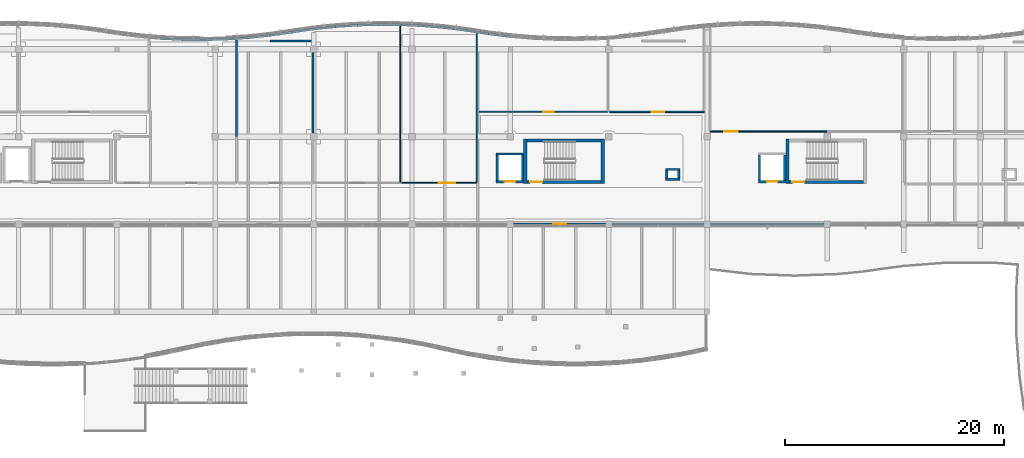
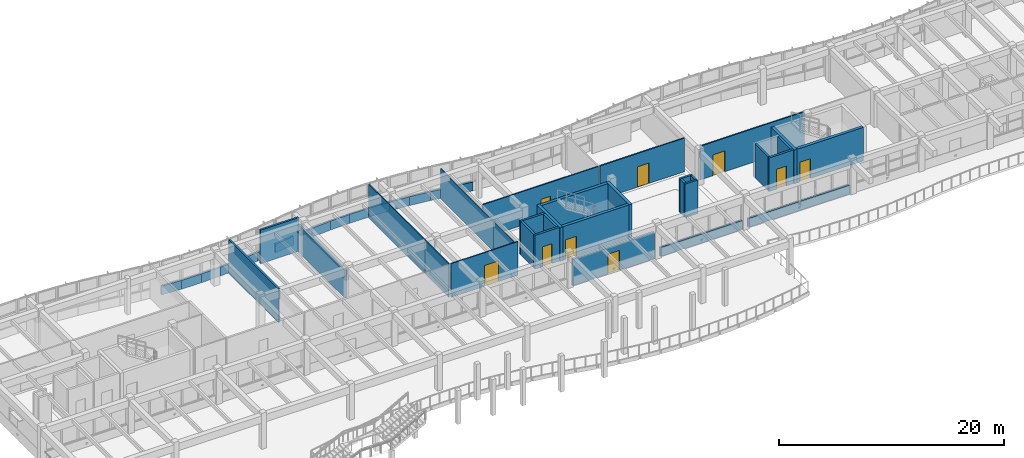
# One storey, part 61 of 89: 47 walls, 9 doors, 9 openings.
"""IFC4 building model written with IfcOpenShell, lengths in metres."""

from ifc_helpers import new_model, si_unit, direction, frame, frame_2d, origin, place, context, subcontext, project, spatial, rectangle, extrude, material, layer, layer_set, type_object, element, fill, save


model = new_model("IFC4")

# Units and contexts
model_context = context("Model", 3, precision=1e-05, world=origin(), true_north=direction((0.0, 1.0)))
body_context = subcontext(model_context, "Body", "Model", "MODEL_VIEW")
ifc_project = project(units=[si_unit("LENGTHUNIT", "METRE"), si_unit("AREAUNIT", "SQUARE_METRE"), si_unit("VOLUMEUNIT", "CUBIC_METRE"), si_unit("PLANEANGLEUNIT", "RADIAN"), si_unit("MASSUNIT", "GRAM", prefix="KILO")], contexts=[model_context])

# Site, building, storey
site_placement = place(None, origin())
site = spatial("IfcSite", under=ifc_project, at=site_placement, CompositionType="ELEMENT")
building_placement = place(site_placement, origin())
building = spatial("IfcBuilding", under=site, at=building_placement, Name="Tonlespit Floodbar School", CompositionType="ELEMENT")
storey_placement = place(building_placement, frame((0.0, 0.0, 4.5)))
storey = spatial("IfcBuildingStorey", under=building, at=storey_placement, Name="L01", CompositionType="ELEMENT", Elevation=4.5)

# Walls
ifc_material_1 = material(Name="Concrete C40/50", Category="concrete")
ifc_layer_1 = layer(ifc_material_1, 0.300048828125)
ifc_layer_set_1 = layer_set([ifc_layer_1], Name="Concrete C40/50")
wall_type_1 = type_object("IfcWallType", Name="CoreWall_RC_300", PredefinedType="SHEAR", material=ifc_layer_set_1)
for number, where, z_axis, x_axis, name in (
    (1, (99.35009765625, 107.699951171875, 0.0), (0.0, 0.0, 1.0), (0.0, 1.0, 0.0), "L01 core C2 shear wall NEAR"),
    (2, (106.449951171875, 111.800048828125, 0.0), (0.0, 0.0, 1.0), (0.0, -1.0, 0.0), "L01 core C2 shear wall FAR"),
):
    element("IfcWall", number, at=place(storey_placement, frame(where, z_axis=z_axis, x_axis=x_axis)), inside=storey, type_object=wall_type_1, Name=name, PredefinedType="SHEAR", context=body_context, shape_type="SweptSolid", body=[
        extrude(rectangle(XDim=4.10009765625, YDim=0.300048828125, at=frame_2d((2.050048828125, 0.0))), origin(), (0.0, 0.0, 1.0), 3.64990234375),
    ])

# Wall, opening, door
wall_1_placement = place(storey_placement, frame((99.5, 107.85009765625, 0.0), z_axis=(0.0, 0.0, 1.0), x_axis=(1.0, 0.0, 0.0)))
wall_1 = element("IfcWall", 3, at=wall_1_placement, inside=storey, type_object=wall_type_1, Name="L01 core C2 shear wall LEFT", PredefinedType="SHEAR", context=body_context, shape_type="SweptSolid", body=[
    extrude(rectangle(XDim=6.800048828125, YDim=0.300048828125, at=frame_2d((3.39990234375, 0.0))), origin(), (0.0, 0.0, 1.0), 3.64990234375),
])
opening_1_placement = place(wall_1_placement, frame((0.300048828125, 0.0, 0.0)))
opening_1 = element("IfcOpeningElement", 4, at=opening_1_placement, cuts=wall_1, Name="Opening FD1-C2-L01", PredefinedType="OPENING", context=body_context, shape_type="SweptSolid", body=[
    extrude(rectangle(XDim=1.10009765625, YDim=2.14990234375, at=frame_2d((0.550048828125, 1.074951171875))), frame((0.0, 0.159912109375, 0.0), z_axis=(0.0, -1.0, 0.0), x_axis=(1.0, 0.0, 0.0)), (0.0, 0.0, 1.0), 0.320068359375),
])
ifc_material_2 = material(Name="Galvanised Steel", Category="steel")
door_type_1 = type_object("IfcDoorType", Name="FireDoor_Stair_1100x2150", OperationType="NOTDEFINED", PredefinedType="DOOR", material=ifc_material_2)
door_1_placement = place(opening_1_placement, origin())
door_1 = element("IfcDoor", 5, at=door_1_placement, inside=storey, type_object=door_type_1, Name="L01 stair ST-C2 fire door", OperationType="SINGLE_SWING_RIGHT", OverallHeight=2.14990234375, OverallWidth=1.10009765625, PredefinedType="DOOR", context=body_context, shape_type="SweptSolid", body=[
    extrude(rectangle(XDim=1.10009765625, YDim=2.14990234375, at=frame_2d((0.550048828125, 1.074951171875))), frame((0.0, 0.02490234375, 0.0), z_axis=(0.0, -1.0, 0.0), x_axis=(1.0, 0.0, 0.0)), (0.0, 0.0, 1.0), 0.050048828125),
])
fill(opening_1, door_1)

# Walls
wall_2_placement = place(storey_placement, frame((106.300048828125, 111.64990234375, 0.0), z_axis=(0.0, 0.0, 1.0), x_axis=(-1.0, 0.0, 0.0)))
element("IfcWall", 6, at=wall_2_placement, inside=storey, type_object=wall_type_1, Name="L01 core C2 shear wall RGHT", PredefinedType="SHEAR", context=body_context, shape_type="SweptSolid", body=[
    extrude(rectangle(XDim=6.800048828125, YDim=0.300048828125, at=frame_2d((3.39990234375, 0.0))), origin(), (0.0, 0.0, 1.0), 3.64990234375),
])
wall_3_placement = place(storey_placement, frame((123.35009765625, 107.699951171875, 0.0), z_axis=(0.0, 0.0, 1.0), x_axis=(0.0, 1.0, 0.0)))
element("IfcWall", 7, at=wall_3_placement, inside=storey, type_object=wall_type_1, Name="L01 core C4 shear wall NEAR", PredefinedType="SHEAR", context=body_context, shape_type="SweptSolid", body=[
    extrude(rectangle(XDim=4.10009765625, YDim=0.300048828125, at=frame_2d((2.050048828125, 0.0))), origin(), (0.0, 0.0, 1.0), 3.64990234375),
])

# Wall, opening, door
wall_4_placement = place(storey_placement, frame((123.5, 107.85009765625, 0.0), z_axis=(0.0, 0.0, 1.0), x_axis=(1.0, 0.0, 0.0)))
wall_4 = element("IfcWall", 8, at=wall_4_placement, inside=storey, type_object=wall_type_1, Name="L01 core C4 shear wall LEFT", PredefinedType="SHEAR", context=body_context, shape_type="SweptSolid", body=[
    extrude(rectangle(XDim=6.800048828125, YDim=0.300048828125, at=frame_2d((3.39990234375, 0.0))), origin(), (0.0, 0.0, 1.0), 3.64990234375),
])
opening_2_placement = place(wall_4_placement, frame((0.300048828125, 0.0, 0.0)))
opening_2 = element("IfcOpeningElement", 9, at=opening_2_placement, cuts=wall_4, Name="Opening FD1-C4-L01", PredefinedType="OPENING", context=body_context, shape_type="SweptSolid", body=[
    extrude(rectangle(XDim=1.10009765625, YDim=2.14990234375, at=frame_2d((0.550048828125, 1.074951171875))), frame((0.0, 0.159912109375, 0.0), z_axis=(0.0, -1.0, 0.0), x_axis=(1.0, 0.0, 0.0)), (0.0, 0.0, 1.0), 0.320068359375),
])
door_2_placement = place(opening_2_placement, origin())
door_2 = element("IfcDoor", 10, at=door_2_placement, inside=storey, type_object=door_type_1, Name="L01 stair ST-C4 fire door", OperationType="SINGLE_SWING_RIGHT", OverallHeight=2.14990234375, OverallWidth=1.10009765625, PredefinedType="DOOR", context=body_context, shape_type="SweptSolid", body=[
    extrude(rectangle(XDim=1.10009765625, YDim=2.14990234375, at=frame_2d((0.550048828125, 1.074951171875))), frame((0.0, 0.02490234375, 0.0), z_axis=(0.0, -1.0, 0.0), x_axis=(1.0, 0.0, 0.0)), (0.0, 0.0, 1.0), 0.050048828125),
])
fill(opening_2, door_2)

ifc_material_3 = material(Name="Precast concrete C40/50", Category="concrete")
ifc_layer_2 = layer(ifc_material_3, 0.239990234375)
ifc_layer_set_2 = layer_set([ifc_layer_2], Name="Precast concrete C40/50")
wall_type_2 = type_object("IfcWallType", Name="ExtWall_Rainscreen_240", PredefinedType="SOLIDWALL", material=ifc_layer_set_2)
wall_5_placement = place(storey_placement, frame((106.699951171875, 104.0, 0.0), z_axis=(0.0, 0.0, 1.0), x_axis=(-1.0, 0.0, 0.0)))
wall_5 = element("IfcWall", 11, at=wall_5_placement, inside=storey, type_object=wall_type_2, Name="L01 external wall 0085", PredefinedType="SOLIDWALL", context=body_context, shape_type="SweptSolid", body=[
    extrude(rectangle(XDim=8.39990234375, YDim=0.239990234375, at=frame_2d((4.199951171875, 0.0))), origin(), (0.0, 0.0, 1.0), 2.844970703125),
])
opening_3_placement = place(wall_5_placement, frame((3.60009765625, 0.0, 0.0)))
opening_3 = element("IfcOpeningElement", 12, at=opening_3_placement, cuts=wall_5, Name="Opening D-TR-004", PredefinedType="OPENING", context=body_context, shape_type="SweptSolid", body=[
    extrude(rectangle(XDim=1.199951171875, YDim=2.14990234375, at=frame_2d((0.60009765625, 1.074951171875))), frame((0.0, 0.1298828125, 0.0), z_axis=(0.0, -1.0, 0.0), x_axis=(1.0, 0.0, 0.0)), (0.0, 0.0, 1.0), 0.260009765625),
])
ifc_material_4 = material(Name="Anodised Aluminium", Category="aluminium")
door_type_2 = type_object("IfcDoorType", Name="ExtDoor_Terrace_1200x2150", OperationType="NOTDEFINED", PredefinedType="DOOR", material=ifc_material_4)
door_3_placement = place(opening_3_placement, origin())
door_3 = element("IfcDoor", 13, at=door_3_placement, inside=storey, type_object=door_type_2, Name="L01 exterior door D-TR-004", OperationType="SINGLE_SWING_RIGHT", OverallHeight=2.14990234375, OverallWidth=1.199951171875, PredefinedType="DOOR", context=body_context, shape_type="SweptSolid", body=[
    extrude(rectangle(XDim=1.199951171875, YDim=2.14990234375, at=frame_2d((0.60009765625, 1.074951171875))), frame((0.0, 0.02490234375, 0.0), z_axis=(0.0, -1.0, 0.0), x_axis=(1.0, 0.0, 0.0)), (0.0, 0.0, 1.0), 0.050048828125),
])
fill(opening_3, door_3)

# Walls
ifc_material_5 = material(Name="White Architectural Precast concrete C40/50", Category="concrete")
ifc_layer_3 = layer(ifc_material_5, 0.199951171875)
ifc_layer_set_3 = layer_set([ifc_layer_3], Name="White Architectural Precast concrete C40/50")
wall_type_3 = type_object("IfcWallType", Name="ExtWall_Spandrel_White_200", PredefinedType="SOLIDWALL", material=ifc_layer_set_3)
wall_6_placement = place(storey_placement, frame((66.0, 120.968505859375, 0.0), z_axis=(0.0, 0.0, 1.0), x_axis=(0.99884540439, -0.048040172037, 0.0)))
element("IfcWall", 14, at=wall_6_placement, inside=storey, type_object=wall_type_3, Name="L01 spandrel wall 0059", PredefinedType="SOLIDWALL", context=body_context, shape_type="SweptSolid", body=[
    extrude(rectangle(XDim=2.002197265625, YDim=0.199951171875, at=frame_2d((1.0009765625, 0.0))), origin(), (0.0, 0.0, 1.0), 0.949951171875),
])
wall_7_placement = place(storey_placement, frame((68.0, 120.872314453125, 0.0), z_axis=(0.0, 0.0, 1.0), x_axis=(0.999953504169, -0.009643106302, 0.0)))
element("IfcWall", 15, at=wall_7_placement, inside=storey, type_object=wall_type_3, Name="L01 spandrel wall 0060", PredefinedType="SOLIDWALL", context=body_context, shape_type="SweptSolid", body=[
    extrude(rectangle(XDim=2.0, YDim=0.199951171875, at=frame_2d((1.0, 0.0))), origin(), (0.0, 0.0, 1.0), 0.949951171875),
])
wall_8_placement = place(storey_placement, frame((70.0, 120.85302734375, 0.0), z_axis=(0.0, 0.0, 1.0), x_axis=(0.999585290582, 0.028796646555, 0.0)))
element("IfcWall", 16, at=wall_8_placement, inside=storey, type_object=wall_type_3, Name="L01 spandrel wall 0061", PredefinedType="SOLIDWALL", context=body_context, shape_type="SweptSolid", body=[
    extrude(rectangle(XDim=2.000732421875, YDim=0.199951171875, at=frame_2d((1.00048828125, 0.0))), origin(), (0.0, 0.0, 1.0), 0.949951171875),
])
wall_9_placement = place(storey_placement, frame((72.0, 120.91064453125, 0.0), z_axis=(0.0, 0.0, 1.0), x_axis=(0.997729302978, 0.067351599676, 0.0)))
element("IfcWall", 17, at=wall_9_placement, inside=storey, type_object=wall_type_3, Name="L01 spandrel wall 0062", PredefinedType="SOLIDWALL", context=body_context, shape_type="SweptSolid", body=[
    extrude(rectangle(XDim=2.004638671875, YDim=0.199951171875, at=frame_2d((1.00244140625, 0.0))), origin(), (0.0, 0.0, 1.0), 0.949951171875),
])
wall_10_placement = place(storey_placement, frame((74.0, 121.045654296875, 0.0), z_axis=(0.0, 0.0, 1.0), x_axis=(0.994395160059, 0.105727317433, 0.0)))
element("IfcWall", 18, at=wall_10_placement, inside=storey, type_object=wall_type_3, Name="L01 spandrel wall 0063", PredefinedType="SOLIDWALL", context=body_context, shape_type="SweptSolid", body=[
    extrude(rectangle(XDim=2.01123046875, YDim=0.199951171875, at=frame_2d((1.005615234375, 0.0))), origin(), (0.0, 0.0, 1.0), 0.949951171875),
])
for number, where, z_axis, x_axis, name in (
    (19, (76.0, 121.25830078125, 0.0), (0.0, 0.0, 1.0), (0.989527230727, 0.144346318447, 0.0), "L01 spandrel wall 0064"),
    (20, (78.0, 121.550048828125, 0.0), (0.0, 0.0, 1.0), (0.989544477223, 0.144228040259, 0.0), "L01 spandrel wall 0065"),
):
    element("IfcWall", number, at=place(storey_placement, frame(where, z_axis=z_axis, x_axis=x_axis)), inside=storey, type_object=wall_type_3, Name=name, PredefinedType="SOLIDWALL", context=body_context, shape_type="SweptSolid", body=[
        extrude(rectangle(XDim=2.021240234375, YDim=0.199951171875, at=frame_2d((1.0107421875, 0.0))), origin(), (0.0, 0.0, 1.0), 0.949951171875),
    ])
wall_11_placement = place(storey_placement, frame((80.0, 121.841552734375, 0.0), z_axis=(0.0, 0.0, 1.0), x_axis=(0.994395160059, 0.105727317433, 0.0)))
element("IfcWall", 21, at=wall_11_placement, inside=storey, type_object=wall_type_3, Name="L01 spandrel wall 0066", PredefinedType="SOLIDWALL", context=body_context, shape_type="SweptSolid", body=[
    extrude(rectangle(XDim=2.01123046875, YDim=0.199951171875, at=frame_2d((1.005615234375, 0.0))), origin(), (0.0, 0.0, 1.0), 0.949951171875),
])
wall_12_placement = place(storey_placement, frame((82.0, 122.05419921875, 0.0), z_axis=(0.0, 0.0, 1.0), x_axis=(0.997729302978, 0.067351599676, 0.0)))
element("IfcWall", 22, at=wall_12_placement, inside=storey, type_object=wall_type_3, Name="L01 spandrel wall 0067", PredefinedType="SOLIDWALL", context=body_context, shape_type="SweptSolid", body=[
    extrude(rectangle(XDim=2.004638671875, YDim=0.199951171875, at=frame_2d((1.00244140625, 0.0))), origin(), (0.0, 0.0, 1.0), 0.949951171875),
])
wall_13_placement = place(storey_placement, frame((84.0, 122.189208984375, 0.0), z_axis=(0.0, 0.0, 1.0), x_axis=(0.999581770858, 0.028918564416, 0.0)))
element("IfcWall", 23, at=wall_13_placement, inside=storey, type_object=wall_type_3, Name="L01 spandrel wall 0068", PredefinedType="SOLIDWALL", context=body_context, shape_type="SweptSolid", body=[
    extrude(rectangle(XDim=2.000732421875, YDim=0.199951171875, at=frame_2d((1.00048828125, 0.0))), origin(), (0.0, 0.0, 1.0), 0.949951171875),
])
wall_14_placement = place(storey_placement, frame((86.0, 122.2470703125, 0.0), z_axis=(0.0, 0.0, 1.0), x_axis=(0.999953504169, -0.009643106302, 0.0)))
element("IfcWall", 24, at=wall_14_placement, inside=storey, type_object=wall_type_3, Name="L01 spandrel wall 0069", PredefinedType="SOLIDWALL", context=body_context, shape_type="SweptSolid", body=[
    extrude(rectangle(XDim=2.0, YDim=0.199951171875, at=frame_2d((1.0, 0.0))), origin(), (0.0, 0.0, 1.0), 0.949951171875),
])
wall_15_placement = place(storey_placement, frame((88.0, 122.227783203125, 0.0), z_axis=(0.0, 0.0, 1.0), x_axis=(0.99884540439, -0.048040172037, 0.0)))
element("IfcWall", 25, at=wall_15_placement, inside=storey, type_object=wall_type_3, Name="L01 spandrel wall 0070", PredefinedType="SOLIDWALL", context=body_context, shape_type="SweptSolid", body=[
    extrude(rectangle(XDim=2.002197265625, YDim=0.199951171875, at=frame_2d((1.0009765625, 0.0))), origin(), (0.0, 0.0, 1.0), 0.949951171875),
])
wall_16_placement = place(storey_placement, frame((90.0, 122.131591796875, 0.0), z_axis=(0.0, 0.0, 1.0), x_axis=(0.996244237948, -0.086587633962, 0.0)))
element("IfcWall", 26, at=wall_16_placement, inside=storey, type_object=wall_type_3, Name="L01 spandrel wall 0071", PredefinedType="SOLIDWALL", context=body_context, shape_type="SweptSolid", body=[
    extrude(rectangle(XDim=2.007568359375, YDim=0.199951171875, at=frame_2d((1.00390625, 0.0))), origin(), (0.0, 0.0, 1.0), 0.949951171875),
])
wall_17_placement = place(storey_placement, frame((92.0, 121.957763671875, 0.0), z_axis=(0.0, 0.0, 1.0), x_axis=(0.992158168336, -0.124988675503, 0.0)))
element("IfcWall", 27, at=wall_17_placement, inside=storey, type_object=wall_type_3, Name="L01 spandrel wall 0072", PredefinedType="SOLIDWALL", context=body_context, shape_type="SweptSolid", body=[
    extrude(rectangle(XDim=2.015869140625, YDim=0.199951171875, at=frame_2d((1.0078125, 0.0))), origin(), (0.0, 0.0, 1.0), 0.949951171875),
])
wall_18_placement = place(storey_placement, frame((94.0, 121.705810546875, 0.0), z_axis=(0.0, 0.0, 1.0), x_axis=(0.988085509852, -0.153905897287, 0.0)))
element("IfcWall", 28, at=wall_18_placement, inside=storey, type_object=wall_type_3, Name="L01 spandrel wall 0073", PredefinedType="SOLIDWALL", context=body_context, shape_type="SweptSolid", body=[
    extrude(rectangle(XDim=2.024169921875, YDim=0.199951171875, at=frame_2d((1.01220703125, 0.0))), origin(), (0.0, 0.0, 1.0), 0.949951171875),
])
wall_19_placement = place(storey_placement, frame((96.0, 121.394287109375, 0.0), z_axis=(0.0, 0.0, 1.0), x_axis=(0.992158168336, -0.124988675503, 0.0)))
element("IfcWall", 29, at=wall_19_placement, inside=storey, type_object=wall_type_3, Name="L01 spandrel wall 0074", PredefinedType="SOLIDWALL", context=body_context, shape_type="SweptSolid", body=[
    extrude(rectangle(XDim=2.015869140625, YDim=0.199951171875, at=frame_2d((1.0078125, 0.0))), origin(), (0.0, 0.0, 1.0), 0.949951171875),
])
wall_20_placement = place(storey_placement, frame((115.699951171875, 104.0, 0.0), z_axis=(0.0, 0.0, 1.0), x_axis=(-1.0, 0.0, 0.0)))
element("IfcWall", 30, at=wall_20_placement, inside=storey, type_object=wall_type_3, Name="L01 spandrel wall 0084", PredefinedType="SOLIDWALL", context=body_context, shape_type="SweptSolid", body=[
    extrude(rectangle(XDim=8.39990234375, YDim=0.199951171875, at=frame_2d((4.199951171875, 0.0))), origin(), (0.0, 0.0, 1.0), 0.949951171875),
])
wall_21_placement = place(storey_placement, frame((126.699951171875, 104.0, 0.0), z_axis=(0.0, 0.0, 1.0), x_axis=(-1.0, 0.0, 0.0)))
element("IfcWall", 31, at=wall_21_placement, inside=storey, type_object=wall_type_3, Name="L01 spandrel wall 0588", PredefinedType="SOLIDWALL", context=body_context, shape_type="SweptSolid", body=[
    extrude(rectangle(XDim=10.39990234375, YDim=0.199951171875, at=frame_2d((5.199951171875, 0.0))), origin(), (0.0, 0.0, 1.0), 0.949951171875),
])
ifc_layer_4 = layer(ifc_material_1, 0.199951171875)
ifc_layer_set_4 = layer_set([ifc_layer_4], Name="Concrete C40/50")
wall_type_4 = type_object("IfcWallType", Name="FireWall_Plant_200", PredefinedType="PARTITIONING", material=ifc_layer_set_4)
for number, where, z_axis, x_axis, name in (
    (32, (113.5, 108.10009765625, 0.0), (0.0, 0.0, 1.0), (-1.0, 0.0, 0.0), "L01 service riser 02 wall S"),
    (33, (112.199951171875, 109.0, 0.0), (0.0, 0.0, 1.0), (1.0, 0.0, 0.0), "L01 service riser 02 wall N"),
):
    element("IfcWall", number, at=place(storey_placement, frame(where, z_axis=z_axis, x_axis=x_axis)), inside=storey, type_object=wall_type_4, Name=name, PredefinedType="PARTITIONING", context=body_context, shape_type="SweptSolid", body=[
        extrude(rectangle(XDim=1.300048828125, YDim=0.199951171875, at=frame_2d((0.64990234375, 0.0))), origin(), (0.0, 0.0, 1.0), 3.64990234375),
    ])
for number, where, z_axis, x_axis, name in (
    (34, (112.300048828125, 108.199951171875, 0.0), (0.0, 0.0, 1.0), (0.0, 1.0, 0.0), "L01 service riser 02 wall W"),
    (35, (113.39990234375, 108.89990234375, 0.0), (0.0, 0.0, 1.0), (0.0, -1.0, 0.0), "L01 service riser 02 wall E"),
):
    element("IfcWall", number, at=place(storey_placement, frame(where, z_axis=z_axis, x_axis=x_axis)), inside=storey, type_object=wall_type_4, Name=name, PredefinedType="PARTITIONING", context=body_context, shape_type="SweptSolid", body=[
        extrude(rectangle(XDim=0.699951171875, YDim=0.199951171875, at=frame_2d((0.35009765625, 0.0))), origin(), (0.0, 0.0, 1.0), 3.64990234375),
    ])
ifc_material_6 = material(Name="Gypsum Plasterboard Partition")
ifc_layer_5 = layer(ifc_material_6, 0.10009765625)
ifc_layer_set_5 = layer_set([ifc_layer_5], Name="Gypsum Plasterboard Partition")
wall_type_5 = type_object("IfcWallType", Name="Partition_Gyp_100", PredefinedType="PARTITIONING", material=ifc_layer_set_5)
wall_22_placement = place(storey_placement, frame((87.929931640625, 107.8349609375, 0.0), z_axis=(0.0, 0.0, 1.0), x_axis=(0.0, 1.0, 0.0)))
element("IfcWall", 36, at=wall_22_placement, inside=storey, type_object=wall_type_5, Name="L01 partition wall 0047", PredefinedType="PARTITIONING", context=body_context, shape_type="SweptSolid", body=[
    extrude(rectangle(XDim=4.1650390625, YDim=0.10009765625, at=frame_2d((2.08251953125, 0.0))), origin(), (0.0, 0.0, 1.0), 3.64990234375),
])
wall_23_placement = place(storey_placement, frame((87.929931640625, 112.0, 0.0), z_axis=(0.0, 0.0, 1.0), x_axis=(0.0, 1.0, 0.0)))
element("IfcWall", 37, at=wall_23_placement, inside=storey, type_object=wall_type_5, Name="L01 partition wall 0048", PredefinedType="PARTITIONING", context=body_context, shape_type="SweptSolid", body=[
    extrude(rectangle(XDim=10.08642578125, YDim=0.10009765625, at=frame_2d((5.043212890625, 0.0))), origin(), (0.0, 0.0, 1.0), 3.64990234375),
])

# Wall, opening, door
ifc_layer_6 = layer(ifc_material_6, 0.110107421875)
ifc_layer_set_6 = layer_set([ifc_layer_6], Name="Gypsum Plasterboard Partition")
wall_type_6 = type_object("IfcWallType", Name="Partition_Gyp_110", PredefinedType="PARTITIONING", material=ifc_layer_set_6)
wall_24_placement = place(storey_placement, frame((88.070068359375, 107.77001953125, 0.0), z_axis=(0.0, 0.0, 1.0), x_axis=(1.0, 0.0, 0.0)))
wall_24 = element("IfcWall", 38, at=wall_24_placement, inside=storey, type_object=wall_type_6, Name="L01 partition wall 0049", PredefinedType="PARTITIONING", context=body_context, shape_type="SweptSolid", body=[
    extrude(rectangle(XDim=6.85986328125, YDim=0.110107421875, at=frame_2d((3.429931640625, 0.0))), origin(), (0.0, 0.0, 1.0), 3.64990234375),
])
opening_4_placement = place(wall_24_placement, frame((3.389892578125, 0.0, 0.0)))
opening_4 = element("IfcOpeningElement", 39, at=opening_4_placement, cuts=wall_24, Name="Opening D-L01-015", PredefinedType="OPENING", context=body_context, shape_type="SweptSolid", body=[
    extrude(rectangle(XDim=1.47998046875, YDim=2.25, at=frame_2d((0.739990234375, 1.125))), frame((0.0, 0.06494140625, 0.0), z_axis=(0.0, -1.0, 0.0), x_axis=(1.0, 0.0, 0.0)), (0.0, 0.0, 1.0), 0.130126953125),
])
ifc_material_7 = material(Name="Hardwood Timber", Category="wood")
door_type_3 = type_object("IfcDoorType", Name="IntDoor_1480x2250", OperationType="NOTDEFINED", PredefinedType="DOOR", material=ifc_material_7)
door_4_placement = place(opening_4_placement, origin())
door_4 = element("IfcDoor", 40, at=door_4_placement, inside=storey, type_object=door_type_3, Name="L01 interior door D-L01-015", OperationType="SINGLE_SWING_RIGHT", OverallHeight=2.25, OverallWidth=1.47998046875, PredefinedType="DOOR", context=body_context, shape_type="SweptSolid", body=[
    extrude(rectangle(XDim=1.47998046875, YDim=2.25, at=frame_2d((0.739990234375, 1.125))), frame((0.0, 0.02490234375, 0.0), z_axis=(0.0, -1.0, 0.0), x_axis=(1.0, 0.0, 0.0)), (0.0, 0.0, 1.0), 0.050048828125),
])
fill(opening_4, door_4)

# Walls
wall_25_placement = place(storey_placement, frame((94.929931640625, 107.840087890625, 0.0), z_axis=(0.0, 0.0, 1.0), x_axis=(0.0, 1.0, 0.0)))
element("IfcWall", 41, at=wall_25_placement, inside=storey, type_object=wall_type_6, Name="L01 partition wall 0050", PredefinedType="PARTITIONING", context=body_context, shape_type="SweptSolid", body=[
    extrude(rectangle(XDim=4.159912109375, YDim=0.110107421875, at=frame_2d((2.080078125, 0.0))), origin(), (0.0, 0.0, 1.0), 3.2451171875),
])
wall_26_placement = place(storey_placement, frame((94.929931640625, 112.0, 0.0), z_axis=(0.0, 0.0, 1.0), x_axis=(0.0, 1.0, 0.0)))
element("IfcWall", 42, at=wall_26_placement, inside=storey, type_object=wall_type_6, Name="L01 partition wall 0051", PredefinedType="PARTITIONING", context=body_context, shape_type="SweptSolid", body=[
    extrude(rectangle(XDim=9.4189453125, YDim=0.110107421875, at=frame_2d((4.70947265625, 0.0))), origin(), (0.0, 0.0, 1.0), 3.2451171875),
])

# Wall, opening, door
ifc_layer_7 = layer(ifc_material_6, 0.1201171875)
ifc_layer_set_7 = layer_set([ifc_layer_7], Name="Gypsum Plasterboard Partition")
wall_type_7 = type_object("IfcWallType", Name="Partition_Gyp_120", PredefinedType="PARTITIONING", material=ifc_layer_set_7)
wall_27_placement = place(storey_placement, frame((95.070068359375, 114.27001953125, 0.0), z_axis=(0.0, 0.0, 1.0), x_axis=(1.0, 0.0, 0.0)))
wall_27 = element("IfcWall", 43, at=wall_27_placement, inside=storey, type_object=wall_type_7, Name="L01 partition wall 0052", PredefinedType="PARTITIONING", context=body_context, shape_type="SweptSolid", body=[
    extrude(rectangle(XDim=11.85986328125, YDim=0.1201171875, at=frame_2d((5.929931640625, 0.0))), origin(), (0.0, 0.0, 1.0), 3.64990234375),
])
opening_5_placement = place(wall_27_placement, frame((5.949951171875, 0.0, 0.0)))
opening_5 = element("IfcOpeningElement", 44, at=opening_5_placement, cuts=wall_27, Name="Opening D-L01-016", PredefinedType="OPENING", context=body_context, shape_type="SweptSolid", body=[
    extrude(rectangle(XDim=0.9599609375, YDim=2.14990234375, at=frame_2d((0.47998046875, 1.074951171875))), frame((0.0, 0.070068359375, 0.0), z_axis=(0.0, -1.0, 0.0), x_axis=(1.0, 0.0, 0.0)), (0.0, 0.0, 1.0), 0.14013671875),
])
door_type_4 = type_object("IfcDoorType", Name="IntDoor_960x2150", OperationType="NOTDEFINED", PredefinedType="DOOR", material=ifc_material_7)
door_5_placement = place(opening_5_placement, origin())
door_5 = element("IfcDoor", 45, at=door_5_placement, inside=storey, type_object=door_type_4, Name="L01 interior door D-L01-016", OperationType="SINGLE_SWING_LEFT", OverallHeight=2.14990234375, OverallWidth=0.9599609375, PredefinedType="DOOR", context=body_context, shape_type="SweptSolid", body=[
    extrude(rectangle(XDim=0.9599609375, YDim=2.14990234375, at=frame_2d((0.47998046875, 1.074951171875))), frame((0.0, 0.02490234375, 0.0), z_axis=(0.0, -1.0, 0.0), x_axis=(1.0, 0.0, 0.0)), (0.0, 0.0, 1.0), 0.050048828125),
])
fill(opening_5, door_5)

ifc_layer_8 = layer(ifc_material_6, 0.1298828125)
ifc_layer_set_8 = layer_set([ifc_layer_8], Name="Gypsum Plasterboard Partition")
wall_type_8 = type_object("IfcWallType", Name="Partition_Gyp_130", PredefinedType="PARTITIONING", material=ifc_layer_set_8)
wall_28_placement = place(storey_placement, frame((107.070068359375, 114.27001953125, 0.0), z_axis=(0.0, 0.0, 1.0), x_axis=(1.0, 0.0, 0.0)))
wall_28 = element("IfcWall", 46, at=wall_28_placement, inside=storey, type_object=wall_type_8, Name="L01 partition wall 0054", PredefinedType="PARTITIONING", context=body_context, shape_type="SweptSolid", body=[
    extrude(rectangle(XDim=8.659912109375, YDim=0.1298828125, at=frame_2d((4.330078125, 0.0))), origin(), (0.0, 0.0, 1.0), 3.64990234375),
])
opening_6_placement = place(wall_28_placement, frame((3.860107421875, 0.0, 0.0)))
opening_6 = element("IfcOpeningElement", 47, at=opening_6_placement, cuts=wall_28, Name="Opening D-L01-017", PredefinedType="OPENING", context=body_context, shape_type="SweptSolid", body=[
    extrude(rectangle(XDim=1.139892578125, YDim=2.199951171875, at=frame_2d((0.56982421875, 1.10009765625))), frame((0.0, 0.074951171875, 0.0), z_axis=(0.0, -1.0, 0.0), x_axis=(1.0, 0.0, 0.0)), (0.0, 0.0, 1.0), 0.14990234375),
])
door_type_5 = type_object("IfcDoorType", Name="IntDoor_1140x2200", OperationType="NOTDEFINED", PredefinedType="DOOR", material=ifc_material_7)
door_6_placement = place(opening_6_placement, origin())
door_6 = element("IfcDoor", 48, at=door_6_placement, inside=storey, type_object=door_type_5, Name="L01 interior door D-L01-017", OperationType="SINGLE_SWING_RIGHT", OverallHeight=2.199951171875, OverallWidth=1.139892578125, PredefinedType="DOOR", context=body_context, shape_type="SweptSolid", body=[
    extrude(rectangle(XDim=1.139892578125, YDim=2.199951171875, at=frame_2d((0.56982421875, 1.10009765625))), frame((0.0, 0.02490234375, 0.0), z_axis=(0.0, -1.0, 0.0), x_axis=(1.0, 0.0, 0.0)), (0.0, 0.0, 1.0), 0.050048828125),
])
fill(opening_6, door_6)

wall_29_placement = place(storey_placement, frame((116.27001953125, 112.469970703125, 0.0), z_axis=(0.0, 0.0, 1.0), x_axis=(1.0, 0.0, 0.0)))
wall_29 = element("IfcWall", 49, at=wall_29_placement, inside=storey, type_object=wall_type_8, Name="L01 partition wall 0356", PredefinedType="PARTITIONING", context=body_context, shape_type="SweptSolid", body=[
    extrude(rectangle(XDim=10.72998046875, YDim=0.1298828125, at=frame_2d((5.364990234375, 0.0))), origin(), (0.0, 0.0, 1.0), 3.64990234375),
])
opening_7_placement = place(wall_29_placement, frame((1.31005859375, 0.0, 0.0)))
opening_7 = element("IfcOpeningElement", 50, at=opening_7_placement, cuts=wall_29, Name="Opening D-L01-099", PredefinedType="OPENING", context=body_context, shape_type="SweptSolid", body=[
    extrude(rectangle(XDim=1.239990234375, YDim=2.25, at=frame_2d((0.6201171875, 1.125))), frame((0.0, 0.074951171875, 0.0), z_axis=(0.0, -1.0, 0.0), x_axis=(1.0, 0.0, 0.0)), (0.0, 0.0, 1.0), 0.14990234375),
])
door_type_6 = type_object("IfcDoorType", Name="IntDoor_1240x2250", OperationType="NOTDEFINED", PredefinedType="DOOR", material=ifc_material_7)
door_7_placement = place(opening_7_placement, origin())
door_7 = element("IfcDoor", 51, at=door_7_placement, inside=storey, type_object=door_type_6, Name="L01 interior door D-L01-099", OperationType="SINGLE_SWING_RIGHT", OverallHeight=2.25, OverallWidth=1.239990234375, PredefinedType="DOOR", context=body_context, shape_type="SweptSolid", body=[
    extrude(rectangle(XDim=1.239990234375, YDim=2.25, at=frame_2d((0.6201171875, 1.125))), frame((0.0, 0.02490234375, 0.0), z_axis=(0.0, -1.0, 0.0), x_axis=(1.0, 0.0, 0.0)), (0.0, 0.0, 1.0), 0.050048828125),
])
fill(opening_7, door_7)

# Walls
ifc_layer_9 = layer(ifc_material_6, 0.18505859375)
ifc_layer_set_9 = layer_set([ifc_layer_9], Name="Gypsum Plasterboard Partition")
wall_type_9 = type_object("IfcWallType", Name="Partition_Gyp_185", PredefinedType="PARTITIONING", material=ifc_layer_set_9)
wall_30_placement = place(storey_placement, frame((72.929931640625, 112.0, 0.0), z_axis=(0.0, 0.0, 1.0), x_axis=(0.0, 1.0, 0.0)))
element("IfcWall", 52, at=wall_30_placement, inside=storey, type_object=wall_type_9, Name="L01 partition wall 0041", PredefinedType="PARTITIONING", context=body_context, shape_type="SweptSolid", body=[
    extrude(rectangle(XDim=8.83154296875, YDim=0.18505859375, at=frame_2d((4.415771484375, 0.0))), origin(), (0.0, 0.0, 1.0), 3.64990234375),
])
ifc_layer_10 = layer(ifc_material_6, 0.195068359375)
ifc_layer_set_10 = layer_set([ifc_layer_10], Name="Gypsum Plasterboard Partition")
wall_type_10 = type_object("IfcWallType", Name="Partition_Gyp_195", PredefinedType="PARTITIONING", material=ifc_layer_set_10)
wall_31_placement = place(storey_placement, frame((76.02001953125, 120.759033203125, 0.0), z_axis=(0.0, 0.0, 1.0), x_axis=(1.0, 0.0, 0.0)))
element("IfcWall", 53, at=wall_31_placement, inside=storey, type_object=wall_type_10, Name="L01 partition wall 0043", PredefinedType="PARTITIONING", context=body_context, shape_type="SweptSolid", body=[
    extrude(rectangle(XDim=3.909912109375, YDim=0.195068359375, at=frame_2d((1.955078125, 0.0))), origin(), (0.0, 0.0, 1.0), 3.64990234375),
])
wall_32_placement = place(storey_placement, frame((79.929931640625, 112.31494140625, 0.0), z_axis=(0.0, 0.0, 1.0), x_axis=(0.0, 1.0, 0.0)))
element("IfcWall", 54, at=wall_32_placement, inside=storey, type_object=wall_type_10, Name="L01 partition wall 0045", PredefinedType="PARTITIONING", context=body_context, shape_type="SweptSolid", body=[
    extrude(rectangle(XDim=8.33154296875, YDim=0.195068359375, at=frame_2d((4.165771484375, 0.0))), origin(), (0.0, 0.0, 1.0), 2.9951171875),
])

# Wall, opening, door
ifc_layer_11 = layer(ifc_material_1, 0.219970703125)
ifc_layer_set_11 = layer_set([ifc_layer_11], Name="Concrete C40/50")
wall_type_11 = type_object("IfcWallType", Name="ShaftWall_RC_220", PredefinedType="SHEAR", material=ifc_layer_set_11)
wall_33_placement = place(storey_placement, frame((99.219970703125, 107.889892578125, 0.0), z_axis=(0.0, 0.0, 1.0), x_axis=(-1.0, 0.0, 0.0)))
wall_33 = element("IfcWall", 55, at=wall_33_placement, inside=storey, type_object=wall_type_11, Name="L01 lift LP-2 shaft wall S", PredefinedType="SHEAR", context=body_context, shape_type="SweptSolid", body=[
    extrude(rectangle(XDim=2.5400390625, YDim=0.219970703125, at=frame_2d((1.27001953125, 0.0))), origin(), (0.0, 0.0, 1.0), 3.64990234375),
])
opening_8_placement = place(wall_33_placement, frame((0.77001953125, 0.0, 0.0)))
opening_8 = element("IfcOpeningElement", 56, at=opening_8_placement, cuts=wall_33, Name="Opening LD-LP-2-L01", PredefinedType="OPENING", context=body_context, shape_type="SweptSolid", body=[
    extrude(rectangle(XDim=1.0, YDim=2.14990234375, at=frame_2d((0.5, 1.074951171875))), frame((0.0, 0.119873046875, 0.0), z_axis=(0.0, -1.0, 0.0), x_axis=(1.0, 0.0, 0.0)), (0.0, 0.0, 1.0), 0.239990234375),
])
door_type_7 = type_object("IfcDoorType", Name="LiftDoor_Pass_1000x2150", OperationType="DOUBLE_DOOR_SLIDING", PredefinedType="DOOR", material=ifc_material_4)
door_8_placement = place(opening_8_placement, origin())
door_8 = element("IfcDoor", 57, at=door_8_placement, inside=storey, type_object=door_type_7, Name="L01 lift LP-2 sliding landing door", OperationType="DOUBLE_DOOR_SLIDING", OverallHeight=2.14990234375, OverallWidth=1.0, PredefinedType="DOOR", context=body_context, shape_type="SweptSolid", body=[
    extrude(rectangle(XDim=1.0, YDim=2.14990234375, at=frame_2d((0.5, 1.074951171875))), frame((0.0, 0.02490234375, 0.0), z_axis=(0.0, -1.0, 0.0), x_axis=(1.0, 0.0, 0.0)), (0.0, 0.0, 1.0), 0.050048828125),
])
fill(opening_8, door_8)

# Walls
wall_34_placement = place(storey_placement, frame((96.679931640625, 110.409912109375, 0.0), z_axis=(0.0, 0.0, 1.0), x_axis=(1.0, 0.0, 0.0)))
element("IfcWall", 58, at=wall_34_placement, inside=storey, type_object=wall_type_11, Name="L01 lift LP-2 shaft wall N", PredefinedType="SHEAR", context=body_context, shape_type="SweptSolid", body=[
    extrude(rectangle(XDim=2.5400390625, YDim=0.219970703125, at=frame_2d((1.27001953125, 0.0))), origin(), (0.0, 0.0, 1.0), 3.64990234375),
])
for number, where, z_axis, x_axis, name in (
    (59, (96.7900390625, 108.0, 0.0), (0.0, 0.0, 1.0), (0.0, 1.0, 0.0), "L01 lift LP-2 shaft wall W"),
    (60, (99.110107421875, 110.300048828125, 0.0), (0.0, 0.0, 1.0), (0.0, -1.0, 0.0), "L01 lift LP-2 shaft wall E"),
):
    element("IfcWall", number, at=place(storey_placement, frame(where, z_axis=z_axis, x_axis=x_axis)), inside=storey, type_object=wall_type_11, Name=name, PredefinedType="SHEAR", context=body_context, shape_type="SweptSolid", body=[
        extrude(rectangle(XDim=2.300048828125, YDim=0.219970703125, at=frame_2d((1.14990234375, 0.0))), origin(), (0.0, 0.0, 1.0), 3.64990234375),
    ])

# Wall, opening, door
wall_35_placement = place(storey_placement, frame((123.219970703125, 107.889892578125, 0.0), z_axis=(0.0, 0.0, 1.0), x_axis=(-1.0, 0.0, 0.0)))
wall_35 = element("IfcWall", 61, at=wall_35_placement, inside=storey, type_object=wall_type_11, Name="L01 lift LP-3 shaft wall S", PredefinedType="SHEAR", context=body_context, shape_type="SweptSolid", body=[
    extrude(rectangle(XDim=2.5400390625, YDim=0.219970703125, at=frame_2d((1.27001953125, 0.0))), origin(), (0.0, 0.0, 1.0), 3.64990234375),
])
opening_9_placement = place(wall_35_placement, frame((0.77001953125, 0.0, 0.0)))
opening_9 = element("IfcOpeningElement", 62, at=opening_9_placement, cuts=wall_35, Name="Opening LD-LP-3-L01", PredefinedType="OPENING", context=body_context, shape_type="SweptSolid", body=[
    extrude(rectangle(XDim=1.0, YDim=2.14990234375, at=frame_2d((0.5, 1.074951171875))), frame((0.0, 0.119873046875, 0.0), z_axis=(0.0, -1.0, 0.0), x_axis=(1.0, 0.0, 0.0)), (0.0, 0.0, 1.0), 0.239990234375),
])
door_9_placement = place(opening_9_placement, origin())
door_9 = element("IfcDoor", 63, at=door_9_placement, inside=storey, type_object=door_type_7, Name="L01 lift LP-3 sliding landing door", OperationType="DOUBLE_DOOR_SLIDING", OverallHeight=2.14990234375, OverallWidth=1.0, PredefinedType="DOOR", context=body_context, shape_type="SweptSolid", body=[
    extrude(rectangle(XDim=1.0, YDim=2.14990234375, at=frame_2d((0.5, 1.074951171875))), frame((0.0, 0.02490234375, 0.0), z_axis=(0.0, -1.0, 0.0), x_axis=(1.0, 0.0, 0.0)), (0.0, 0.0, 1.0), 0.050048828125),
])
fill(opening_9, door_9)

# Walls
for number, where, z_axis, x_axis, name in (
    (64, (120.7900390625, 108.0, 0.0), (0.0, 0.0, 1.0), (0.0, 1.0, 0.0), "L01 lift LP-3 shaft wall W"),
    (65, (123.110107421875, 110.300048828125, 0.0), (0.0, 0.0, 1.0), (0.0, -1.0, 0.0), "L01 lift LP-3 shaft wall E"),
):
    element("IfcWall", number, at=place(storey_placement, frame(where, z_axis=z_axis, x_axis=x_axis)), inside=storey, type_object=wall_type_11, Name=name, PredefinedType="SHEAR", context=body_context, shape_type="SweptSolid", body=[
        extrude(rectangle(XDim=2.300048828125, YDim=0.219970703125, at=frame_2d((1.14990234375, 0.0))), origin(), (0.0, 0.0, 1.0), 3.64990234375),
    ])

save(model, "model.ifc")
